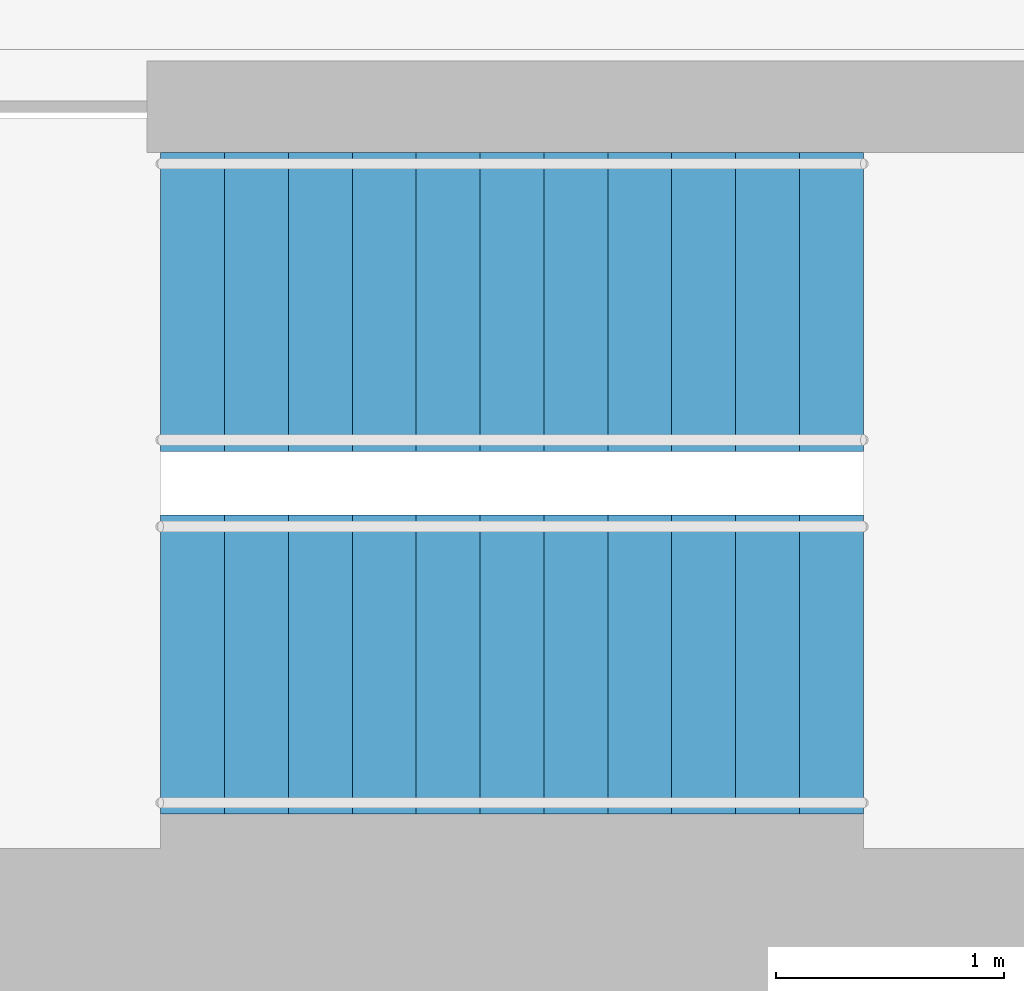
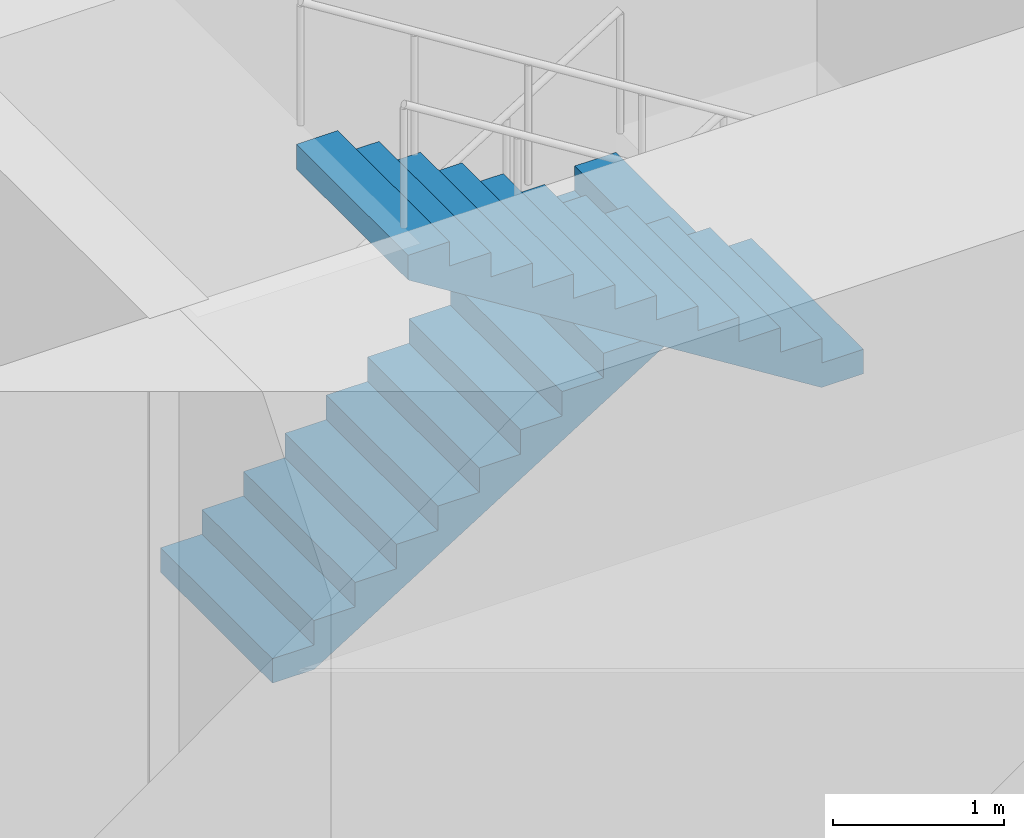
# One storey, part 12 of 16: 2 stair flights, 1 element without a shape of its own.
"""IFC4 building model written with IfcOpenShell, lengths in metres."""

import ifcopenshell
import ifcopenshell.guid

model = None  # the IFC model being written
_history = None  # IfcOwnerHistory: only IFC2X3 demands one
_inside = {}  # id of a spatial element -> (the spatial element, [elements in it])
_under = {}  # id of a project, library or spatial element -> (it, [spatial elements below it])
_declared = {}  # id of a project -> (the project, [libraries it declares])
_typed = {}  # id of a type object -> (the type object, [elements of that type])
_made_of = {}  # id of a material, layer set ... -> (it, [elements and type objects made of it])


def new_model(schema):
    """Start an empty IFC model of exactly this schema.

    Asked for "IFC4X3", IfcOpenShell would pick the latest addendum, in which some entities
    have other attributes; the version numbers below select the first issue.
    IFC2X3 requires an IfcOwnerHistory on every rooted entity: one is made here for all.
    """
    global model, _history
    if schema == "IFC4X3":
        model = ifcopenshell.file(schema_version=(4, 3, 0, 0))
    else:
        model = ifcopenshell.file(schema=schema)
    _inside.clear()
    _under.clear()
    _declared.clear()
    _typed.clear()
    _made_of.clear()
    _history = None
    if model.schema == "IFC2X3":
        org = make("IfcOrganization", Name="unknown")
        user = make(
            "IfcPersonAndOrganization",
            ThePerson=make("IfcPerson", FamilyName="unknown"),
            TheOrganization=org,
        )
        app = make(
            "IfcApplication",
            ApplicationDeveloper=org,
            Version="unknown",
            ApplicationFullName="unknown",
            ApplicationIdentifier="unknown",
        )
        _history = make(
            "IfcOwnerHistory",
            OwningUser=user,
            OwningApplication=app,
            ChangeAction="ADDED",
            CreationDate=0,
        )
    return model


def make(cls, **values):
    """One entity of the class cls with the attributes given. An attribute that is None is left unset."""
    return model.create_entity(
        cls, **{name: value for name, value in values.items() if value is not None}
    )


def rooted(cls, **values):
    """An entity with a GlobalId (a new one), such as an element, a storey or a relation."""
    return make(cls, GlobalId=ifcopenshell.guid.new(), OwnerHistory=_history, **values)


def si_unit(unit_type, name, prefix=None):
    """IfcSIUnit, for example si_unit("LENGTHUNIT", "METRE", prefix="MILLI")."""
    return make("IfcSIUnit", UnitType=unit_type, Prefix=prefix, Name=name)


def assignment(units):
    """IfcUnitAssignment: the units of a project."""
    return None if units is None else make("IfcUnitAssignment", Units=units)


def point(xyz):
    """IfcCartesianPoint."""
    return None if xyz is None else make("IfcCartesianPoint", Coordinates=xyz)


def direction(xyz):
    """IfcDirection."""
    return None if xyz is None else make("IfcDirection", DirectionRatios=xyz)


def frame(location, z_axis=None, x_axis=None):
    """IfcAxis2Placement3D, a coordinate frame: its origin and axes. An axis left out is left unset."""
    return make(
        "IfcAxis2Placement3D",
        Location=point(location),
        Axis=direction(z_axis),
        RefDirection=direction(x_axis),
    )


def origin():
    """The frame at (0, 0, 0) with its axes left unset."""
    return frame((0.0, 0.0, 0.0))


def place(relative_to, where):
    """IfcLocalPlacement: puts the frame where relative to a parent placement (None: the world)."""
    return make(
        "IfcLocalPlacement", PlacementRelTo=relative_to, RelativePlacement=where
    )


def context(
    kind, dimensions, precision=None, world=None, true_north=None, identifier=None
):
    """IfcGeometricRepresentationContext, for example the 3D "Model" context."""
    return make(
        "IfcGeometricRepresentationContext",
        ContextIdentifier=identifier,
        ContextType=kind,
        CoordinateSpaceDimension=dimensions,
        Precision=precision,
        WorldCoordinateSystem=world,
        TrueNorth=true_north,
    )


def subcontext(parent, identifier, kind, view, scale=None):
    """IfcGeometricRepresentationSubContext, for example "Body" below "Model"."""
    return make(
        "IfcGeometricRepresentationSubContext",
        ContextIdentifier=identifier,
        ContextType=kind,
        ParentContext=parent,
        TargetScale=scale,
        TargetView=view,
    )


def project(units=None, contexts=None):
    """IfcProject with its units and contexts."""
    return rooted(
        "IfcProject",
        Name="project",
        RepresentationContexts=contexts,
        UnitsInContext=assignment(units),
    )


def spatial(cls, under=None, at=None, **own):
    """A site, building, storey or space (cls), placed at a placement, below another one or the project."""
    s = rooted(cls, ObjectPlacement=at, **own)
    if under is not None:
        _under.setdefault(under.id(), (under, []))[1].append(s)
    return s


def polyline(points):
    """IfcPolyline through the points."""
    return make("IfcPolyline", Points=[point(p) for p in points])


def outline(outer, holes=None, kind="AREA"):
    """IfcArbitraryClosedProfileDef: a profile drawn as a closed curve; with holes, ...WithVoids."""
    if holes is None:
        return make("IfcArbitraryClosedProfileDef", ProfileType=kind, OuterCurve=outer)
    return make(
        "IfcArbitraryProfileDefWithVoids",
        ProfileType=kind,
        OuterCurve=outer,
        InnerCurves=holes,
    )


def extrude(swept, where, along, depth):
    """IfcExtrudedAreaSolid: the profile swept, set in the frame where, extruded along a direction by depth."""
    return make(
        "IfcExtrudedAreaSolid",
        SweptArea=swept,
        Position=where,
        ExtrudedDirection=direction(along),
        Depth=depth,
    )


def shape(context_of_items, identifier, shape_type, items):
    """IfcShapeRepresentation: the items that make up one representation, for example the "Body"."""
    return make(
        "IfcShapeRepresentation",
        ContextOfItems=context_of_items,
        RepresentationIdentifier=identifier,
        RepresentationType=shape_type,
        Items=items,
    )


def material(Name=None, Category=None):
    """IfcMaterial."""
    return make("IfcMaterial", Name=Name, Category=Category)


def made_of(thing, what):
    """Note that an element or type object is made of a material, layer set ...; save() writes the relation."""
    if what is not None:
        _made_of.setdefault(what.id(), (what, []))[1].append(thing)
    return thing


def type_object(cls, material=None, **own):
    """A type object (cls), such as IfcWallType, which elements share."""
    return made_of(rooted(cls, **own), material)


def element(
    cls,
    number,
    at=None,
    inside=None,
    cuts=None,
    type_object=None,
    material=None,
    context=None,
    identifier="Body",
    shape_type=None,
    held_by="IfcProductDefinitionShape",
    body=None,
    shapes=None,
    **own,
):
    """One element of the class cls, such as IfcWall. Its Tag is "e" and its number.

    at: its placement. inside: the storey or other place that contains it. cuts: it is an
    opening in that element (IfcRelVoidsElement). A single representation is given by context,
    identifier, shape_type and body (its items); several are given by shapes. held_by: the class
    of the entity that holds the representations. save() writes the other relations.
    """
    e = rooted(cls, Tag="e%d" % number, ObjectPlacement=at, **own)
    if body is not None:
        shapes = [shape(context, identifier, shape_type, body)]
    if shapes is not None:
        e.Representation = make(held_by, Representations=shapes)
    if inside is not None:
        _inside.setdefault(inside.id(), (inside, []))[1].append(e)
    if cuts is not None:
        rooted(
            "IfcRelVoidsElement", RelatingBuildingElement=cuts, RelatedOpeningElement=e
        )
    if type_object is not None:
        _typed.setdefault(type_object.id(), (type_object, []))[1].append(e)
    return made_of(e, material)


def aggregate(whole, parts):
    """IfcRelAggregates: a whole, such as a stair, and the parts it consists of."""
    return rooted("IfcRelAggregates", RelatingObject=whole, RelatedObjects=parts)


def save(model, path):
    """Write the relations noted so far, then the file.

    IfcRelAggregates (storeys below a building ...), IfcRelContainedInSpatialStructure (elements
    in a storey), IfcRelDefinesByType, IfcRelAssociatesMaterial and IfcRelDeclares: one each for
    every whole, place, type object, material and project.
    """
    for whole, parts in _under.values():
        aggregate(whole, parts)
    for where, things in _inside.values():
        rooted(
            "IfcRelContainedInSpatialStructure",
            RelatedElements=things,
            RelatingStructure=where,
        )
    for kind, things in _typed.values():
        rooted("IfcRelDefinesByType", RelatedObjects=things, RelatingType=kind)
    for what, things in _made_of.values():
        rooted("IfcRelAssociatesMaterial", RelatedObjects=things, RelatingMaterial=what)
    for by, libraries in _declared.values():
        rooted("IfcRelDeclares", RelatingContext=by, RelatedDefinitions=libraries)
    model.write(path)


model = new_model("IFC4")

# Units and contexts
model_context = context("Model", 3, precision=1e-05, world=origin(), true_north=direction((0.0, 1.0)))
body_context = subcontext(model_context, "Body", "Model", "MODEL_VIEW")
ifc_project = project(units=[si_unit("LENGTHUNIT", "METRE"), si_unit("AREAUNIT", "SQUARE_METRE"), si_unit("VOLUMEUNIT", "CUBIC_METRE"), si_unit("PLANEANGLEUNIT", "RADIAN"), si_unit("MASSUNIT", "GRAM", prefix="KILO")], contexts=[model_context])

# Site, building, storey
site_placement = place(None, origin())
site = spatial("IfcSite", under=ifc_project, at=site_placement, CompositionType="ELEMENT")
building_placement = place(site_placement, origin())
building = spatial("IfcBuilding", under=site, at=building_placement, Name="Qaws Media Tower", CompositionType="ELEMENT")
storey_placement = place(building_placement, frame((0.0, 0.0, 80.60009765625)))
storey = spatial("IfcBuildingStorey", under=building, at=storey_placement, Name="L17", CompositionType="ELEMENT", Elevation=80.60009765625)

# Stair, stair flights
ifc_material_1 = material(Name="Concrete C40/50", Category="concrete")
stair_type = type_object("IfcStairType", Name="Exit stair", PredefinedType="HALF_TURN_STAIR", material=ifc_material_1)
stair_placement = place(storey_placement, origin())
stair = element("IfcStair", 1, at=stair_placement, inside=storey, type_object=stair_type, Name="S2 exit stair L17", PredefinedType="HALF_TURN_STAIR")
ifc_material_2 = material(Name="Concrete C40/50", Category="concrete")
stair_flight_type = type_object("IfcStairFlightType", Name="Stair flight 1310", PredefinedType="STRAIGHT", material=ifc_material_2)
stair_flight_1_placement = place(storey_placement, frame((66.159912109375, 47.64501953125, 0.0), z_axis=(0.0, 0.0, 1.0), x_axis=(1.0, 0.0, 0.0)))
stair_flight_1 = element("IfcStairFlight", 2, at=stair_flight_1_placement, type_object=stair_flight_type, Name="S2 flight 1", NumberOfRisers=12, NumberOfTreads=11, PredefinedType="STRAIGHT", RiserHeight=0.175, TreadLength=0.28, context=body_context, shape_type="SweptSolid", body=[
    extrude(outline(polyline([(0.0, 0.0), (0.0, 0.175048828125), (0.280029296875, 0.175048828125), (0.280029296875, 0.35009765625), (0.56005859375, 0.35009765625), (0.56005859375, 0.52490234375), (0.840087890625, 0.52490234375), (0.840087890625, 0.699951171875), (1.1201171875, 0.699951171875), (1.1201171875, 0.875), (1.39990234375, 0.875), (1.39990234375, 1.050048828125), (1.679931640625, 1.050048828125), (1.679931640625, 1.22509765625), (1.9599609375, 1.22509765625), (1.9599609375, 1.39990234375), (2.239990234375, 1.39990234375), (2.239990234375, 1.574951171875), (2.52001953125, 1.574951171875), (2.52001953125, 1.75), (2.800048828125, 1.75), (2.800048828125, 1.925048828125), (3.080078125, 1.925048828125), (3.080078125, 2.10009765625), (3.080078125, 1.748291015625), (0.28271484375, 0.0), (0.0, 0.0)])), frame((0.0, 0.655029296875, 0.0), z_axis=(0.0, -1.0, 0.0), x_axis=(1.0, 0.0, 0.0)), (0.0, 0.0, 1.0), 1.31005859375),
])
stair_flight_2_placement = place(storey_placement, frame((69.239990234375, 46.054931640625, 2.099853515625), z_axis=(0.0, 0.0, 1.0), x_axis=(-1.0, 0.0, 0.0)))
stair_flight_2 = element("IfcStairFlight", 3, at=stair_flight_2_placement, type_object=stair_flight_type, Name="S2 flight 2", NumberOfRisers=12, NumberOfTreads=11, PredefinedType="STRAIGHT", RiserHeight=0.175, TreadLength=0.28, context=body_context, shape_type="SweptSolid", body=[
    extrude(outline(polyline([(0.0, 0.0), (0.0, 0.175048828125), (0.280029296875, 0.175048828125), (0.280029296875, 0.35009765625), (0.56005859375, 0.35009765625), (0.56005859375, 0.52490234375), (0.840087890625, 0.52490234375), (0.840087890625, 0.699951171875), (1.1201171875, 0.699951171875), (1.1201171875, 0.875), (1.39990234375, 0.875), (1.39990234375, 1.050048828125), (1.679931640625, 1.050048828125), (1.679931640625, 1.22509765625), (1.9599609375, 1.22509765625), (1.9599609375, 1.39990234375), (2.239990234375, 1.39990234375), (2.239990234375, 1.574951171875), (2.52001953125, 1.574951171875), (2.52001953125, 1.75), (2.800048828125, 1.75), (2.800048828125, 1.925048828125), (3.080078125, 1.925048828125), (3.080078125, 2.10009765625), (3.080078125, 1.748291015625), (0.28271484375, 0.0), (0.0, 0.0)])), frame((0.0, 0.655029296875, 0.0), z_axis=(0.0, -1.0, 0.0), x_axis=(1.0, 0.0, 0.0)), (0.0, 0.0, 1.0), 1.31005859375),
])
aggregate(stair, [stair_flight_1, stair_flight_2])

save(model, "model.ifc")
